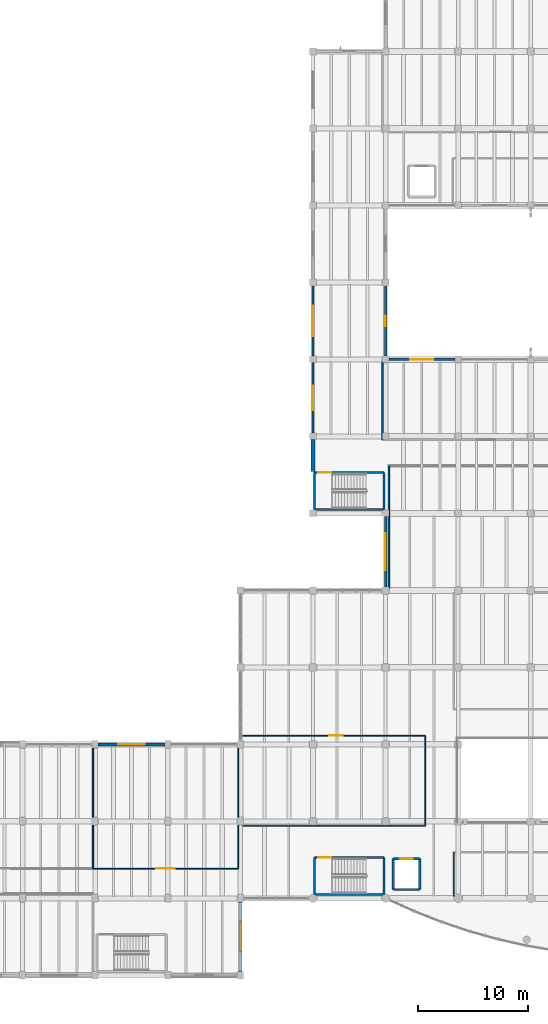
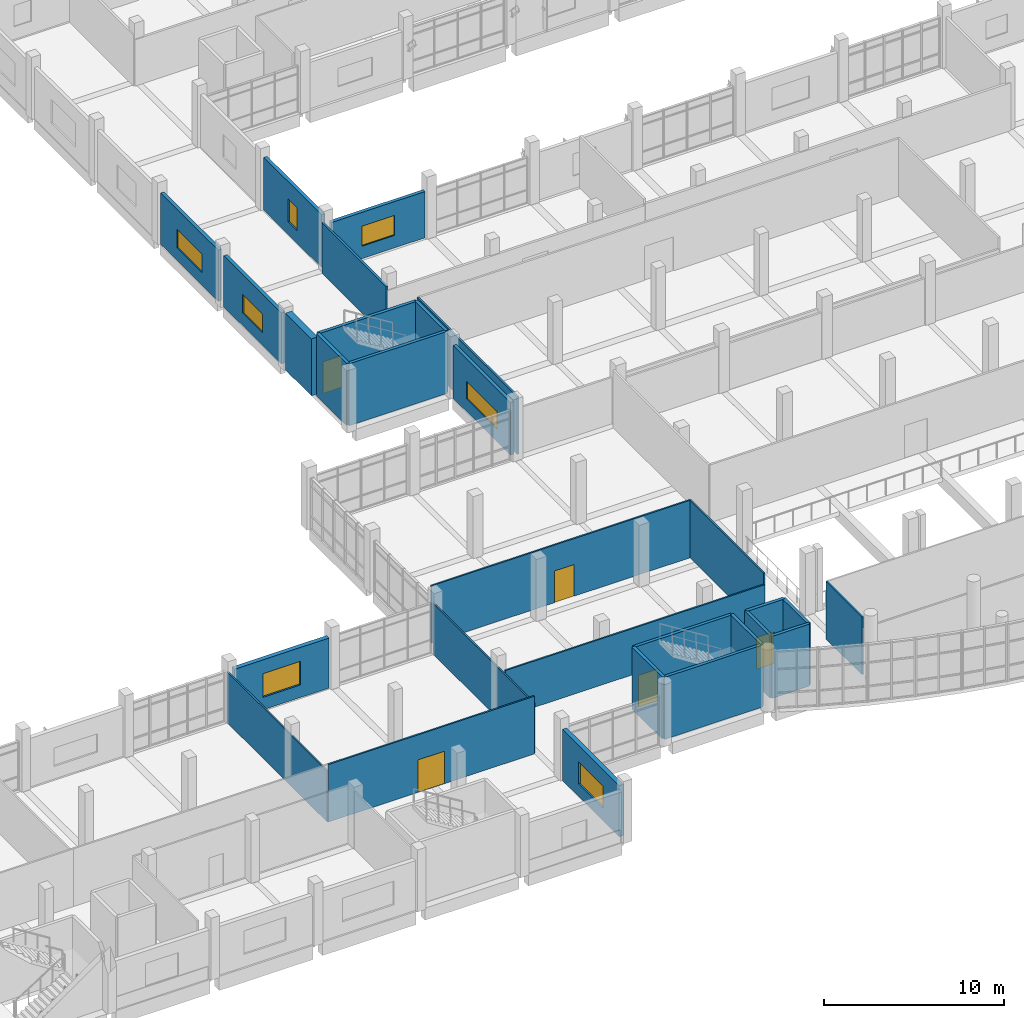
# One storey, part 45 of 68: 29 walls, 7 windows, 5 doors, 12 openings.
"""IFC4 building model written with IfcOpenShell, lengths in metres."""

from ifc_helpers import new_model, si_unit, direction, frame, frame_2d, origin, place, context, subcontext, project, spatial, rectangle, extrude, material, layer, layer_set, type_object, element, fill, save


model = new_model("IFC4")

# Units and contexts
model_context = context("Model", 3, precision=1e-05, world=origin(), true_north=direction((0.0, 1.0)))
body_context = subcontext(model_context, "Body", "Model", "MODEL_VIEW")
ifc_project = project(units=[si_unit("LENGTHUNIT", "METRE"), si_unit("AREAUNIT", "SQUARE_METRE"), si_unit("VOLUMEUNIT", "CUBIC_METRE"), si_unit("PLANEANGLEUNIT", "RADIAN"), si_unit("MASSUNIT", "GRAM", prefix="KILO")], contexts=[model_context])

# Site, building, storey
site_placement = place(None, origin())
site = spatial("IfcSite", under=ifc_project, at=site_placement, CompositionType="ELEMENT")
building_placement = place(site_placement, origin())
building = spatial("IfcBuilding", under=site, at=building_placement, Name="Ciguamira Faculty of Natural Sciences", CompositionType="ELEMENT")
storey_placement = place(building_placement, frame((0.0, 0.0, 4.199951171875)))
storey = spatial("IfcBuildingStorey", under=building, at=storey_placement, Name="L01", CompositionType="ELEMENT", Elevation=4.199951171875)

# Wall, opening, window
ifc_material_1 = material(Name="Precast concrete C40/50", Category="concrete")
ifc_layer_1 = layer(ifc_material_1, 0.280029296875, Name="Precast concrete C40/50")
ifc_layer_set_1 = layer_set([ifc_layer_1], Name="Precast concrete C40/50")
wall_type_1 = type_object("IfcWallType", Name="ExtWall_EW-01_280", PredefinedType="SOLIDWALL", material=ifc_layer_set_1)
wall_1_placement = place(storey_placement, frame((37.77490234375, 24.0, 0.0), z_axis=(0.0, 0.0, 1.0), x_axis=(1.0, 0.0, 0.0)))
wall_1 = element("IfcWall", 1, at=wall_1_placement, inside=storey, type_object=wall_type_1, Name="L01 exterior wall 0151", PredefinedType="SOLIDWALL", context=body_context, shape_type="SweptSolid", body=[
    extrude(rectangle(XDim=6.050048828125, YDim=0.280029296875, at=frame_2d((3.02490234375, 0.0))), origin(), (0.0, 0.0, 1.0), 3.385009765625),
])
opening_1_placement = place(wall_1_placement, frame((1.824951171875, 0.0, 0.85009765625)))
opening_1 = element("IfcOpeningElement", 2, at=opening_1_placement, cuts=wall_1, Name="Opening WT-23", PredefinedType="OPENING", context=body_context, shape_type="SweptSolid", body=[
    extrude(rectangle(XDim=2.39990234375, YDim=1.60009765625, at=frame_2d((1.199951171875, 0.800048828125))), frame((0.0, 0.14990234375, 0.0), z_axis=(0.0, -1.0, 0.0), x_axis=(1.0, 0.0, 0.0)), (0.0, 0.0, 1.0), 0.300048828125),
])
ifc_material_2 = material(Name="Hurricane laminated solar glass", Category="glass")
window_type_1 = type_object("IfcWindowType", Name="Window_WT-23_2400x1600", PartitioningType="DOUBLE_PANEL_VERTICAL", PredefinedType="WINDOW", material=ifc_material_2)
window_1_placement = place(opening_1_placement, origin())
window_1 = element("IfcWindow", 3, at=window_1_placement, inside=storey, type_object=window_type_1, Name="L01 facade window 0067", OverallHeight=1.60009765625, OverallWidth=2.39990234375, PartitioningType="SINGLE_PANEL", PredefinedType="WINDOW", context=body_context, shape_type="SweptSolid", body=[
    extrude(rectangle(XDim=2.39990234375, YDim=1.60009765625, at=frame_2d((1.199951171875, 0.800048828125))), frame((0.0, 0.030029296875, 0.0), z_axis=(0.0, -1.0, 0.0), x_axis=(1.0, 0.0, 0.0)), (0.0, 0.0, 1.0), 0.06005859375),
])
fill(opening_1, window_1)

wall_2_placement = place(storey_placement, frame((50.699951171875, 3.35009765625, 0.0), z_axis=(0.0, 0.0, 1.0), x_axis=(0.0, 1.0, 0.0)))
wall_2 = element("IfcWall", 4, at=wall_2_placement, inside=storey, type_object=wall_type_1, Name="L01 exterior wall 0176", PredefinedType="SOLIDWALL", context=body_context, shape_type="SweptSolid", body=[
    extrude(rectangle(XDim=6.2998046875, YDim=0.280029296875, at=frame_2d((3.14990234375, 0.0))), origin(), (0.0, 0.0, 1.0), 3.465087890625),
])
opening_2_placement = place(wall_2_placement, frame((1.800048828125, 0.0, 0.85009765625)))
opening_2 = element("IfcOpeningElement", 5, at=opening_2_placement, cuts=wall_2, Name="Opening WT-13", PredefinedType="OPENING", context=body_context, shape_type="SweptSolid", body=[
    extrude(rectangle(XDim=2.699951171875, YDim=1.5, at=frame_2d((1.35009765625, 0.75))), frame((0.0, 0.14990234375, 0.0), z_axis=(0.0, -1.0, 0.0), x_axis=(1.0, 0.0, 0.0)), (0.0, 0.0, 1.0), 0.300048828125),
])
window_type_2 = type_object("IfcWindowType", Name="Window_WT-13_2700x1500", PartitioningType="DOUBLE_PANEL_VERTICAL", PredefinedType="WINDOW", material=ifc_material_2)
window_2_placement = place(opening_2_placement, origin())
window_2 = element("IfcWindow", 6, at=window_2_placement, inside=storey, type_object=window_type_2, Name="L01 facade window 0092", OverallHeight=1.5, OverallWidth=2.699951171875, PartitioningType="SINGLE_PANEL", PredefinedType="WINDOW", context=body_context, shape_type="SweptSolid", body=[
    extrude(rectangle(XDim=2.699951171875, YDim=1.5, at=frame_2d((1.35009765625, 0.75))), frame((0.0, 0.030029296875, 0.0), z_axis=(0.0, -1.0, 0.0), x_axis=(1.0, 0.0, 0.0)), (0.0, 0.0, 1.0), 0.06005859375),
])
fill(opening_2, window_2)

ifc_layer_2 = layer(ifc_material_1, 0.219970703125, Name="Precast concrete C40/50")
ifc_layer_set_2 = layer_set([ifc_layer_2], Name="Precast concrete C40/50")
wall_type_2 = type_object("IfcWallType", Name="ExtWall_EW-03_220", PredefinedType="SOLIDWALL", material=ifc_layer_set_2)
wall_3_placement = place(storey_placement, frame((64.199951171875, 59.0, 0.0), z_axis=(0.0, 0.0, 1.0), x_axis=(1.0, 0.0, 0.0)))
wall_3 = element("IfcWall", 7, at=wall_3_placement, inside=storey, type_object=wall_type_2, Name="L01 exterior wall 0159", PredefinedType="SOLIDWALL", context=body_context, shape_type="SweptSolid", body=[
    extrude(rectangle(XDim=6.0, YDim=0.219970703125, at=frame_2d((3.0, 0.0))), origin(), (0.0, 0.0, 1.0), 3.135009765625),
])
opening_3_placement = place(wall_3_placement, frame((1.949951171875, 0.0, 0.85009765625)))
opening_3 = element("IfcOpeningElement", 8, at=opening_3_placement, cuts=wall_3, Name="Opening WT-06", PredefinedType="OPENING", context=body_context, shape_type="SweptSolid", body=[
    extrude(rectangle(XDim=2.10009765625, YDim=1.35009765625, at=frame_2d((1.050048828125, 0.675048828125))), frame((0.0, 0.119873046875, 0.0), z_axis=(0.0, -1.0, 0.0), x_axis=(1.0, 0.0, 0.0)), (0.0, 0.0, 1.0), 0.239990234375),
])
window_type_3 = type_object("IfcWindowType", Name="Window_WT-06_2100x1350", PartitioningType="DOUBLE_PANEL_VERTICAL", PredefinedType="WINDOW", material=ifc_material_2)
window_3_placement = place(opening_3_placement, origin())
window_3 = element("IfcWindow", 9, at=window_3_placement, inside=storey, type_object=window_type_3, Name="L01 facade window 0075", OverallHeight=1.35009765625, OverallWidth=2.10009765625, PartitioningType="SINGLE_PANEL", PredefinedType="WINDOW", context=body_context, shape_type="SweptSolid", body=[
    extrude(rectangle(XDim=2.10009765625, YDim=1.35009765625, at=frame_2d((1.050048828125, 0.675048828125))), frame((0.0, 0.030029296875, 0.0), z_axis=(0.0, -1.0, 0.0), x_axis=(1.0, 0.0, 0.0)), (0.0, 0.0, 1.0), 0.06005859375),
])
fill(opening_3, window_3)

wall_4_placement = place(storey_placement, frame((57.300048828125, 52.300048828125, 0.0), z_axis=(0.0, 0.0, 1.0), x_axis=(0.0, 1.0, 0.0)))
wall_4 = element("IfcWall", 10, at=wall_4_placement, inside=storey, type_object=wall_type_2, Name="L01 exterior wall 0178", PredefinedType="SOLIDWALL", context=body_context, shape_type="SweptSolid", body=[
    extrude(rectangle(XDim=6.39990234375, YDim=0.219970703125, at=frame_2d((3.199951171875, 0.0))), origin(), (0.0, 0.0, 1.0), 3.465087890625),
])
opening_4_placement = place(wall_4_placement, frame((2.10009765625, 0.0, 0.85009765625)))
opening_4 = element("IfcOpeningElement", 11, at=opening_4_placement, cuts=wall_4, Name="Opening WT-18", PredefinedType="OPENING", context=body_context, shape_type="SweptSolid", body=[
    extrude(rectangle(XDim=2.199951171875, YDim=1.25, at=frame_2d((1.10009765625, 0.625))), frame((0.0, 0.119873046875, 0.0), z_axis=(0.0, -1.0, 0.0), x_axis=(1.0, 0.0, 0.0)), (0.0, 0.0, 1.0), 0.239990234375),
])
window_type_4 = type_object("IfcWindowType", Name="Window_WT-18_2200x1250", PartitioningType="DOUBLE_PANEL_VERTICAL", PredefinedType="WINDOW", material=ifc_material_2)
window_4_placement = place(opening_4_placement, origin())
window_4 = element("IfcWindow", 12, at=window_4_placement, inside=storey, type_object=window_type_4, Name="L01 facade window 0093", OverallHeight=1.25, OverallWidth=2.199951171875, PartitioningType="SINGLE_PANEL", PredefinedType="WINDOW", context=body_context, shape_type="SweptSolid", body=[
    extrude(rectangle(XDim=2.199951171875, YDim=1.25, at=frame_2d((1.10009765625, 0.625))), frame((0.0, 0.030029296875, 0.0), z_axis=(0.0, -1.0, 0.0), x_axis=(1.0, 0.0, 0.0)), (0.0, 0.0, 1.0), 0.06005859375),
])
fill(opening_4, window_4)

wall_5_placement = place(storey_placement, frame((57.300048828125, 59.300048828125, 0.0), z_axis=(0.0, 0.0, 1.0), x_axis=(0.0, 1.0, 0.0)))
wall_5 = element("IfcWall", 13, at=wall_5_placement, inside=storey, type_object=wall_type_2, Name="L01 exterior wall 0179", PredefinedType="SOLIDWALL", context=body_context, shape_type="SweptSolid", body=[
    extrude(rectangle(XDim=6.39990234375, YDim=0.219970703125, at=frame_2d((3.199951171875, 0.0))), origin(), (0.0, 0.0, 1.0), 3.465087890625),
])
opening_5_placement = place(wall_5_placement, frame((1.800048828125, 0.0, 0.85009765625)))
opening_5 = element("IfcOpeningElement", 14, at=opening_5_placement, cuts=wall_5, Name="Opening WT-20", PredefinedType="OPENING", context=body_context, shape_type="SweptSolid", body=[
    extrude(rectangle(XDim=2.800048828125, YDim=1.25, at=frame_2d((1.39990234375, 0.625))), frame((0.0, 0.119873046875, 0.0), z_axis=(0.0, -1.0, 0.0), x_axis=(1.0, 0.0, 0.0)), (0.0, 0.0, 1.0), 0.239990234375),
])
window_type_5 = type_object("IfcWindowType", Name="Window_WT-20_2800x1250", PartitioningType="DOUBLE_PANEL_VERTICAL", PredefinedType="WINDOW", material=ifc_material_2)
window_5_placement = place(opening_5_placement, origin())
window_5 = element("IfcWindow", 15, at=window_5_placement, inside=storey, type_object=window_type_5, Name="L01 facade window 0094", OverallHeight=1.25, OverallWidth=2.800048828125, PartitioningType="SINGLE_PANEL", PredefinedType="WINDOW", context=body_context, shape_type="SweptSolid", body=[
    extrude(rectangle(XDim=2.800048828125, YDim=1.25, at=frame_2d((1.39990234375, 0.625))), frame((0.0, 0.030029296875, 0.0), z_axis=(0.0, -1.0, 0.0), x_axis=(1.0, 0.0, 0.0)), (0.0, 0.0, 1.0), 0.06005859375),
])
fill(opening_5, window_5)

wall_6_placement = place(storey_placement, frame((63.89990234375, 38.324951171875, 0.0), z_axis=(0.0, 0.0, 1.0), x_axis=(0.0, 1.0, 0.0)))
wall_6 = element("IfcWall", 16, at=wall_6_placement, inside=storey, type_object=wall_type_2, Name="L01 exterior wall 0186", PredefinedType="SOLIDWALL", context=body_context, shape_type="SweptSolid", body=[
    extrude(rectangle(XDim=6.375, YDim=0.219970703125, at=frame_2d((3.1875, 0.0))), origin(), (0.0, 0.0, 1.0), 3.56494140625),
])
opening_6_placement = place(wall_6_placement, frame((1.487548828125, 0.0, 0.85009765625)))
opening_6 = element("IfcOpeningElement", 17, at=opening_6_placement, cuts=wall_6, Name="Opening WT-34", PredefinedType="OPENING", context=body_context, shape_type="SweptSolid", body=[
    extrude(rectangle(XDim=3.39990234375, YDim=1.199951171875, at=frame_2d((1.699951171875, 0.60009765625))), frame((0.0, 0.119873046875, 0.0), z_axis=(0.0, -1.0, 0.0), x_axis=(1.0, 0.0, 0.0)), (0.0, 0.0, 1.0), 0.239990234375),
])
window_type_6 = type_object("IfcWindowType", Name="Window_WT-34_3400x1200", PartitioningType="DOUBLE_PANEL_VERTICAL", PredefinedType="WINDOW", material=ifc_material_2)
window_6_placement = place(opening_6_placement, origin())
window_6 = element("IfcWindow", 18, at=window_6_placement, inside=storey, type_object=window_type_6, Name="L01 facade window 0101", OverallHeight=1.199951171875, OverallWidth=3.39990234375, PartitioningType="SINGLE_PANEL", PredefinedType="WINDOW", context=body_context, shape_type="SweptSolid", body=[
    extrude(rectangle(XDim=3.39990234375, YDim=1.199951171875, at=frame_2d((1.699951171875, 0.60009765625))), frame((0.0, 0.030029296875, 0.0), z_axis=(0.0, -1.0, 0.0), x_axis=(1.0, 0.0, 0.0)), (0.0, 0.0, 1.0), 0.06005859375),
])
fill(opening_6, window_6)

wall_7_placement = place(storey_placement, frame((63.89990234375, 59.300048828125, 0.0), z_axis=(0.0, 0.0, 1.0), x_axis=(0.0, 1.0, 0.0)))
wall_7 = element("IfcWall", 19, at=wall_7_placement, inside=storey, type_object=wall_type_2, Name="L01 exterior wall 0187", PredefinedType="SOLIDWALL", context=body_context, shape_type="SweptSolid", body=[
    extrude(rectangle(XDim=6.39990234375, YDim=0.219970703125, at=frame_2d((3.199951171875, 0.0))), origin(), (0.0, 0.0, 1.0), 3.56494140625),
])
opening_7_placement = place(wall_7_placement, frame((2.72509765625, 0.0, 0.85009765625)))
opening_7 = element("IfcOpeningElement", 20, at=opening_7_placement, cuts=wall_7, Name="Opening WT-36", PredefinedType="OPENING", context=body_context, shape_type="SweptSolid", body=[
    extrude(rectangle(XDim=0.949951171875, YDim=1.550048828125, at=frame_2d((0.47509765625, 0.77490234375))), frame((0.0, 0.119873046875, 0.0), z_axis=(0.0, -1.0, 0.0), x_axis=(1.0, 0.0, 0.0)), (0.0, 0.0, 1.0), 0.239990234375),
])
window_type_7 = type_object("IfcWindowType", Name="Window_WT-36_950x1550", PartitioningType="DOUBLE_PANEL_VERTICAL", PredefinedType="WINDOW", material=ifc_material_2)
window_7_placement = place(opening_7_placement, origin())
window_7 = element("IfcWindow", 21, at=window_7_placement, inside=storey, type_object=window_type_7, Name="L01 facade window 0102", OverallHeight=1.550048828125, OverallWidth=0.949951171875, PartitioningType="SINGLE_PANEL", PredefinedType="WINDOW", context=body_context, shape_type="SweptSolid", body=[
    extrude(rectangle(XDim=0.949951171875, YDim=1.550048828125, at=frame_2d((0.47509765625, 0.77490234375))), frame((0.0, 0.030029296875, 0.0), z_axis=(0.0, -1.0, 0.0), x_axis=(1.0, 0.0, 0.0)), (0.0, 0.0, 1.0), 0.06005859375),
])
fill(opening_7, window_7)

# Walls
ifc_material_3 = material(Name="Concrete C40/50", Category="concrete")
ifc_layer_3 = layer(ifc_material_3, 0.39990234375, Name="Concrete C40/50")
ifc_layer_set_3 = layer_set([ifc_layer_3], Name="Concrete C40/50")
wall_type_3 = type_object("IfcWallType", Name="ExtWall_RW-02_400", PredefinedType="SHEAR", material=ifc_layer_set_3)
wall_8_placement = place(storey_placement, frame((57.300048828125, 48.81005859375, 0.0), z_axis=(0.0, 0.0, 1.0), x_axis=(0.0, 1.0, 0.0)))
element("IfcWall", 22, at=wall_8_placement, inside=storey, type_object=wall_type_3, Name="L01 exterior wall 0177", PredefinedType="SHEAR", context=body_context, shape_type="SweptSolid", body=[
    extrude(rectangle(XDim=2.889892578125, YDim=0.39990234375, at=frame_2d((1.44482421875, 0.0))), origin(), (0.0, 0.0, 1.0), 3.85009765625),
])
ifc_layer_4 = layer(ifc_material_3, 0.199951171875, Name="Concrete C40/50")
ifc_layer_set_4 = layer_set([ifc_layer_4], Name="Concrete C40/50")
wall_type_4 = type_object("IfcWallType", Name="IntWall_CW-S20_200", PredefinedType="SHEAR", material=ifc_layer_set_4)
wall_9_placement = place(storey_placement, frame((57.449951171875, 10.35009765625, 0.0), z_axis=(0.0, 0.0, 1.0), x_axis=(1.0, 0.0, 0.0)))
element("IfcWall", 23, at=wall_9_placement, inside=storey, type_object=wall_type_4, Name="L01 ST-A1 core shear wall south", PredefinedType="SHEAR", context=body_context, shape_type="SweptSolid", body=[
    extrude(rectangle(XDim=6.300048828125, YDim=0.199951171875, at=frame_2d((3.14990234375, 0.0))), origin(), (0.0, 0.0, 1.0), 4.199951171875),
])

# Wall, opening, door
wall_10_placement = place(storey_placement, frame((57.449951171875, 13.7099609375, 0.0), z_axis=(0.0, 0.0, 1.0), x_axis=(1.0, 0.0, 0.0)))
wall_10 = element("IfcWall", 24, at=wall_10_placement, inside=storey, type_object=wall_type_4, Name="L01 ST-A1 core shear wall north", PredefinedType="SHEAR", context=body_context, shape_type="SweptSolid", body=[
    extrude(rectangle(XDim=6.300048828125, YDim=0.199951171875, at=frame_2d((3.14990234375, 0.0))), origin(), (0.0, 0.0, 1.0), 4.199951171875),
])
opening_8_placement = place(wall_10_placement, frame((0.320068359375, 0.0, 0.0)))
opening_8 = element("IfcOpeningElement", 25, at=opening_8_placement, cuts=wall_10, Name="Opening ID-14", PredefinedType="OPENING", context=body_context, shape_type="SweptSolid", body=[
    extrude(rectangle(XDim=1.199951171875, YDim=2.14990234375, at=frame_2d((0.60009765625, 1.074951171875))), frame((0.0, 0.10986328125, 0.0), z_axis=(0.0, -1.0, 0.0), x_axis=(1.0, 0.0, 0.0)), (0.0, 0.0, 1.0), 0.219970703125),
])
ifc_material_4 = material(Name="Protected exit stair fire door")
door_type_1 = type_object("IfcDoorType", Name="IntDoor_ID-14_1200x2150", OperationType="NOTDEFINED", PredefinedType="DOOR", material=ifc_material_4)
door_1_placement = place(opening_8_placement, frame((1.199951171875, 0.0, 0.0), z_axis=(0.0, 0.0, 1.0), x_axis=(-1.0, 0.0, 0.0)))
door_1 = element("IfcDoor", 26, at=door_1_placement, inside=storey, type_object=door_type_1, Name="L01 ST-A1 exit stair fire door", OperationType="SINGLE_SWING_LEFT", OverallHeight=2.14990234375, OverallWidth=1.199951171875, PredefinedType="DOOR", context=body_context, shape_type="SweptSolid", body=[
    extrude(rectangle(XDim=1.199951171875, YDim=2.14990234375, at=frame_2d((0.60009765625, 1.074951171875))), frame((0.0, 0.02490234375, 0.0), z_axis=(0.0, -1.0, 0.0), x_axis=(1.0, 0.0, 0.0)), (0.0, 0.0, 1.0), 0.050048828125),
])
fill(opening_8, door_1)

# Walls
for number, where, z_axis, x_axis, name in (
    (27, (57.449951171875, 10.35009765625, 0.0), (0.0, 0.0, 1.0), (0.0, 1.0, 0.0), "L01 ST-A1 core shear wall west"),
    (28, (63.75, 10.35009765625, 0.0), (0.0, 0.0, 1.0), (0.0, 1.0, 0.0), "L01 ST-A1 core shear wall east"),
):
    element("IfcWall", number, at=place(storey_placement, frame(where, z_axis=z_axis, x_axis=x_axis)), inside=storey, type_object=wall_type_4, Name=name, PredefinedType="SHEAR", context=body_context, shape_type="SweptSolid", body=[
        extrude(rectangle(XDim=3.35986328125, YDim=0.199951171875, at=frame_2d((1.679931640625, 0.0))), origin(), (0.0, 0.0, 1.0), 4.199951171875),
    ])
wall_11_placement = place(storey_placement, frame((57.449951171875, 45.35009765625, 0.0), z_axis=(0.0, 0.0, 1.0), x_axis=(1.0, 0.0, 0.0)))
element("IfcWall", 29, at=wall_11_placement, inside=storey, type_object=wall_type_4, Name="L01 ST-W1 core shear wall south", PredefinedType="SHEAR", context=body_context, shape_type="SweptSolid", body=[
    extrude(rectangle(XDim=6.300048828125, YDim=0.199951171875, at=frame_2d((3.14990234375, 0.0))), origin(), (0.0, 0.0, 1.0), 4.199951171875),
])

# Wall, opening, door
wall_12_placement = place(storey_placement, frame((57.449951171875, 48.7099609375, 0.0), z_axis=(0.0, 0.0, 1.0), x_axis=(1.0, 0.0, 0.0)))
wall_12 = element("IfcWall", 30, at=wall_12_placement, inside=storey, type_object=wall_type_4, Name="L01 ST-W1 core shear wall north", PredefinedType="SHEAR", context=body_context, shape_type="SweptSolid", body=[
    extrude(rectangle(XDim=6.300048828125, YDim=0.199951171875, at=frame_2d((3.14990234375, 0.0))), origin(), (0.0, 0.0, 1.0), 4.199951171875),
])
opening_9_placement = place(wall_12_placement, frame((0.320068359375, 0.0, 0.0)))
opening_9 = element("IfcOpeningElement", 31, at=opening_9_placement, cuts=wall_12, Name="Opening ID-14", PredefinedType="OPENING", context=body_context, shape_type="SweptSolid", body=[
    extrude(rectangle(XDim=1.199951171875, YDim=2.14990234375, at=frame_2d((0.60009765625, 1.074951171875))), frame((0.0, 0.10986328125, 0.0), z_axis=(0.0, -1.0, 0.0), x_axis=(1.0, 0.0, 0.0)), (0.0, 0.0, 1.0), 0.219970703125),
])
door_2_placement = place(opening_9_placement, frame((1.199951171875, 0.0, 0.0), z_axis=(0.0, 0.0, 1.0), x_axis=(-1.0, 0.0, 0.0)))
door_2 = element("IfcDoor", 32, at=door_2_placement, inside=storey, type_object=door_type_1, Name="L01 ST-W1 exit stair fire door", OperationType="SINGLE_SWING_RIGHT", OverallHeight=2.14990234375, OverallWidth=1.199951171875, PredefinedType="DOOR", context=body_context, shape_type="SweptSolid", body=[
    extrude(rectangle(XDim=1.199951171875, YDim=2.14990234375, at=frame_2d((0.60009765625, 1.074951171875))), frame((0.0, 0.02490234375, 0.0), z_axis=(0.0, -1.0, 0.0), x_axis=(1.0, 0.0, 0.0)), (0.0, 0.0, 1.0), 0.050048828125),
])
fill(opening_9, door_2)

# Walls
for number, where, z_axis, x_axis, name in (
    (33, (57.449951171875, 45.35009765625, 0.0), (0.0, 0.0, 1.0), (0.0, 1.0, 0.0), "L01 ST-W1 core shear wall west"),
    (34, (63.75, 45.35009765625, 0.0), (0.0, 0.0, 1.0), (0.0, 1.0, 0.0), "L01 ST-W1 core shear wall east"),
):
    element("IfcWall", number, at=place(storey_placement, frame(where, z_axis=z_axis, x_axis=x_axis)), inside=storey, type_object=wall_type_4, Name=name, PredefinedType="SHEAR", context=body_context, shape_type="SweptSolid", body=[
        extrude(rectangle(XDim=3.35986328125, YDim=0.199951171875, at=frame_2d((1.679931640625, 0.0))), origin(), (0.0, 0.0, 1.0), 4.199951171875),
    ])
wall_13_placement = place(storey_placement, frame((64.60009765625, 10.800048828125, 0.0), z_axis=(0.0, 0.0, 1.0), x_axis=(1.0, 0.0, 0.0)))
element("IfcWall", 35, at=wall_13_placement, inside=storey, type_object=wall_type_4, Name="L01 EL-P3 hoistway wall south", PredefinedType="SHEAR", context=body_context, shape_type="SweptSolid", body=[
    extrude(rectangle(XDim=2.39990234375, YDim=0.199951171875, at=frame_2d((1.199951171875, 0.0))), origin(), (0.0, 0.0, 1.0), 4.199951171875),
])

# Wall, opening, door
wall_14_placement = place(storey_placement, frame((64.60009765625, 13.60009765625, 0.0), z_axis=(0.0, 0.0, 1.0), x_axis=(1.0, 0.0, 0.0)))
wall_14 = element("IfcWall", 36, at=wall_14_placement, inside=storey, type_object=wall_type_4, Name="L01 EL-P3 hoistway wall north", PredefinedType="SHEAR", context=body_context, shape_type="SweptSolid", body=[
    extrude(rectangle(XDim=2.39990234375, YDim=0.199951171875, at=frame_2d((1.199951171875, 0.0))), origin(), (0.0, 0.0, 1.0), 4.199951171875),
])
opening_10_placement = place(wall_14_placement, frame((0.64990234375, 0.0, 0.0)))
opening_10 = element("IfcOpeningElement", 37, at=opening_10_placement, cuts=wall_14, Name="Opening LD-01", PredefinedType="OPENING", context=body_context, shape_type="SweptSolid", body=[
    extrude(rectangle(XDim=1.10009765625, YDim=2.14990234375, at=frame_2d((0.550048828125, 1.074951171875))), frame((0.0, 0.10986328125, 0.0), z_axis=(0.0, -1.0, 0.0), x_axis=(1.0, 0.0, 0.0)), (0.0, 0.0, 1.0), 0.219970703125),
])
ifc_material_5 = material(Name="Passenger elevator sliding landing door")
door_type_2 = type_object("IfcDoorType", Name="LiftLandingDoor_LD-01_1100x2150", OperationType="SLIDING_TO_LEFT", PredefinedType="DOOR", material=ifc_material_5)
door_3_placement = place(opening_10_placement, origin())
door_3 = element("IfcDoor", 38, at=door_3_placement, inside=storey, type_object=door_type_2, Name="L01 EL-P3 elevator landing sliding door", OperationType="SLIDING_TO_LEFT", OverallHeight=2.14990234375, OverallWidth=1.10009765625, PredefinedType="DOOR", context=body_context, shape_type="SweptSolid", body=[
    extrude(rectangle(XDim=1.10009765625, YDim=2.14990234375, at=frame_2d((0.550048828125, 1.074951171875))), frame((0.0, 0.02490234375, 0.0), z_axis=(0.0, -1.0, 0.0), x_axis=(1.0, 0.0, 0.0)), (0.0, 0.0, 1.0), 0.050048828125),
])
fill(opening_10, door_3)

# Walls
for number, where, z_axis, x_axis, name in (
    (39, (64.60009765625, 10.800048828125, 0.0), (0.0, 0.0, 1.0), (0.0, 1.0, 0.0), "L01 EL-P3 hoistway wall west"),
    (40, (67.0, 10.800048828125, 0.0), (0.0, 0.0, 1.0), (0.0, 1.0, 0.0), "L01 EL-P3 hoistway wall east"),
):
    element("IfcWall", number, at=place(storey_placement, frame(where, z_axis=z_axis, x_axis=x_axis)), inside=storey, type_object=wall_type_4, Name=name, PredefinedType="SHEAR", context=body_context, shape_type="SweptSolid", body=[
        extrude(rectangle(XDim=2.800048828125, YDim=0.199951171875, at=frame_2d((1.39990234375, 0.0))), origin(), (0.0, 0.0, 1.0), 4.199951171875),
    ])
ifc_material_6 = material(Name="Fire-rated gypsum partition")
ifc_layer_5 = layer(ifc_material_6, 0.10009765625, Name="Fire-rated gypsum partition")
ifc_layer_set_5 = layer_set([ifc_layer_5], Name="Fire-rated gypsum partition")
wall_type_5 = type_object("IfcWallType", Name="IntWall_IW-A10_100", PredefinedType="PARTITIONING", material=ifc_layer_set_5)
wall_15_placement = place(storey_placement, frame((37.300048828125, 12.699951171875, 0.0), z_axis=(0.0, 0.0, 1.0), x_axis=(0.0, 1.0, 0.0)))
element("IfcWall", 41, at=wall_15_placement, inside=storey, type_object=wall_type_5, Name="L01 Natural Sciences Open Book Stacks partition east", PredefinedType="PARTITIONING", context=body_context, shape_type="SweptSolid", body=[
    extrude(rectangle(XDim=11.10009765625, YDim=0.10009765625, at=frame_2d((5.550048828125, 0.0))), origin(), (0.0, 0.0, 1.0), 3.445068359375),
])

# Wall, opening, door
wall_16_placement = place(storey_placement, frame((37.300048828125, 12.699951171875, 0.0), z_axis=(0.0, 0.0, 1.0), x_axis=(1.0, 0.0, 0.0)))
wall_16 = element("IfcWall", 42, at=wall_16_placement, inside=storey, type_object=wall_type_5, Name="L01 Collaborative Tutorial Studio partition south", PredefinedType="PARTITIONING", context=body_context, shape_type="SweptSolid", body=[
    extrude(rectangle(XDim=13.199951171875, YDim=0.10009765625, at=frame_2d((6.60009765625, 0.0))), origin(), (0.0, 0.0, 1.0), 3.900146484375),
])
opening_11_placement = place(wall_16_placement, frame((5.75, 0.0, 0.0)))
opening_11 = element("IfcOpeningElement", 43, at=opening_11_placement, cuts=wall_16, Name="Opening ID-18", PredefinedType="OPENING", context=body_context, shape_type="SweptSolid", body=[
    extrude(rectangle(XDim=1.699951171875, YDim=2.199951171875, at=frame_2d((0.85009765625, 1.10009765625))), frame((0.0, 0.06005859375, 0.0), z_axis=(0.0, -1.0, 0.0), x_axis=(1.0, 0.0, 0.0)), (0.0, 0.0, 1.0), 0.1201171875),
])
ifc_material_7 = material(Name="Archive vault rated door")
door_type_3 = type_object("IfcDoorType", Name="IntDoor_ID-18_1700x2200", OperationType="NOTDEFINED", PredefinedType="DOOR", material=ifc_material_7)
door_4_placement = place(opening_11_placement, origin())
door_4 = element("IfcDoor", 44, at=door_4_placement, inside=storey, type_object=door_type_3, Name="L01 Collaborative Tutorial Studio door", OperationType="SINGLE_SWING_RIGHT", OverallHeight=2.199951171875, OverallWidth=1.699951171875, PredefinedType="DOOR", context=body_context, shape_type="SweptSolid", body=[
    extrude(rectangle(XDim=1.699951171875, YDim=2.199951171875, at=frame_2d((0.85009765625, 1.10009765625))), frame((0.0, 0.02490234375, 0.0), z_axis=(0.0, -1.0, 0.0), x_axis=(1.0, 0.0, 0.0)), (0.0, 0.0, 1.0), 0.050048828125),
])
fill(opening_11, door_4)

# Walls
wall_17_placement = place(storey_placement, frame((50.5, 12.699951171875, 0.0), z_axis=(0.0, 0.0, 1.0), x_axis=(0.0, 1.0, 0.0)))
element("IfcWall", 45, at=wall_17_placement, inside=storey, type_object=wall_type_5, Name="L01 Collaborative Tutorial Studio partition east", PredefinedType="PARTITIONING", context=body_context, shape_type="SweptSolid", body=[
    extrude(rectangle(XDim=11.10009765625, YDim=0.10009765625, at=frame_2d((5.550048828125, 0.0))), origin(), (0.0, 0.0, 1.0), 3.445068359375),
])
wall_18_placement = place(storey_placement, frame((50.89990234375, 16.60009765625, 0.0), z_axis=(0.0, 0.0, 1.0), x_axis=(1.0, 0.0, 0.0)))
element("IfcWall", 46, at=wall_18_placement, inside=storey, type_object=wall_type_5, Name="L01 Botanical Biodiversity Exhibition Gallery partition south", PredefinedType="PARTITIONING", context=body_context, shape_type="SweptSolid", body=[
    extrude(rectangle(XDim=16.60009765625, YDim=0.10009765625, at=frame_2d((8.300048828125, 0.0))), origin(), (0.0, 0.0, 1.0), 3.135009765625),
])

# Wall, opening, door
wall_19_placement = place(storey_placement, frame((50.89990234375, 24.800048828125, 0.0), z_axis=(0.0, 0.0, 1.0), x_axis=(1.0, 0.0, 0.0)))
wall_19 = element("IfcWall", 47, at=wall_19_placement, inside=storey, type_object=wall_type_5, Name="L01 Botanical Biodiversity Exhibition Gallery partition north", PredefinedType="PARTITIONING", context=body_context, shape_type="SweptSolid", body=[
    extrude(rectangle(XDim=16.60009765625, YDim=0.10009765625, at=frame_2d((8.300048828125, 0.0))), origin(), (0.0, 0.0, 1.0), 3.900146484375),
])
opening_12_placement = place(wall_19_placement, frame((7.875, 0.0, 0.0)))
opening_12 = element("IfcOpeningElement", 48, at=opening_12_placement, cuts=wall_19, Name="Opening ID-06", PredefinedType="OPENING", context=body_context, shape_type="SweptSolid", body=[
    extrude(rectangle(XDim=1.25, YDim=2.14990234375, at=frame_2d((0.625, 1.074951171875))), frame((0.0, 0.06005859375, 0.0), z_axis=(0.0, -1.0, 0.0), x_axis=(1.0, 0.0, 0.0)), (0.0, 0.0, 1.0), 0.1201171875),
])
ifc_material_8 = material(Name="Instrument room leaf-and-half door")
door_type_4 = type_object("IfcDoorType", Name="IntDoor_ID-06_1250x2150", OperationType="NOTDEFINED", PredefinedType="DOOR", material=ifc_material_8)
door_5_placement = place(opening_12_placement, frame((1.25, 0.0, 0.0), z_axis=(0.0, 0.0, 1.0), x_axis=(-1.0, 0.0, 0.0)))
door_5 = element("IfcDoor", 49, at=door_5_placement, inside=storey, type_object=door_type_4, Name="L01 Botanical Biodiversity Exhibition Gallery door", OperationType="SINGLE_SWING_RIGHT", OverallHeight=2.14990234375, OverallWidth=1.25, PredefinedType="DOOR", context=body_context, shape_type="SweptSolid", body=[
    extrude(rectangle(XDim=1.25, YDim=2.14990234375, at=frame_2d((0.625, 1.074951171875))), frame((0.0, 0.02490234375, 0.0), z_axis=(0.0, -1.0, 0.0), x_axis=(1.0, 0.0, 0.0)), (0.0, 0.0, 1.0), 0.050048828125),
])
fill(opening_12, door_5)

# Walls
wall_20_placement = place(storey_placement, frame((67.5, 16.60009765625, 0.0), z_axis=(0.0, 0.0, 1.0), x_axis=(0.0, 1.0, 0.0)))
element("IfcWall", 50, at=wall_20_placement, inside=storey, type_object=wall_type_5, Name="L01 Botanical Biodiversity Exhibition Gallery partition east", PredefinedType="PARTITIONING", context=body_context, shape_type="SweptSolid", body=[
    extrude(rectangle(XDim=8.199951171875, YDim=0.10009765625, at=frame_2d((4.10009765625, 0.0))), origin(), (0.0, 0.0, 1.0), 3.900146484375),
])
wall_21_placement = place(storey_placement, frame((70.10009765625, 10.199951171875, 0.0), z_axis=(0.0, 0.0, 1.0), x_axis=(0.0, 1.0, 0.0)))
element("IfcWall", 51, at=wall_21_placement, inside=storey, type_object=wall_type_5, Name="L01 L01 South Promenade Study Gallery partition west", PredefinedType="PARTITIONING", context=body_context, shape_type="SweptSolid", body=[
    extrude(rectangle(XDim=4.0, YDim=0.10009765625, at=frame_2d((2.0, 0.0))), origin(), (0.0, 0.0, 1.0), 3.900146484375),
])
ifc_material_9 = material(Name="Acoustic double-stud gypsum partition")
ifc_layer_6 = layer(ifc_material_9, 0.1201171875, Name="Acoustic double-stud gypsum partition")
ifc_layer_set_6 = layer_set([ifc_layer_6], Name="Acoustic double-stud gypsum partition")
wall_type_6 = type_object("IfcWallType", Name="IntWall_IW-A12_120", PredefinedType="PARTITIONING", material=ifc_layer_set_6)
wall_22_placement = place(storey_placement, frame((64.199951171875, 38.199951171875, 0.0), z_axis=(0.0, 0.0, 1.0), x_axis=(0.0, 1.0, 0.0)))
element("IfcWall", 52, at=wall_22_placement, inside=storey, type_object=wall_type_6, Name="L01 L01 South Lab Seminar Room partition west", PredefinedType="PARTITIONING", context=body_context, shape_type="SweptSolid", body=[
    extrude(rectangle(XDim=11.10009765625, YDim=0.1201171875, at=frame_2d((5.550048828125, 0.0))), origin(), (0.0, 0.0, 1.0), 3.900146484375),
])
ifc_material_10 = material(Name="Moisture-resistant service chase wall")
ifc_layer_7 = layer(ifc_material_10, 0.139892578125, Name="Moisture-resistant service chase wall")
ifc_layer_set_7 = layer_set([ifc_layer_7], Name="Moisture-resistant service chase wall")
wall_type_7 = type_object("IfcWallType", Name="IntWall_IW-P14_140", PredefinedType="PLUMBINGWALL", material=ifc_layer_set_7)
wall_23_placement = place(storey_placement, frame((63.60009765625, 51.699951171875, 0.0), z_axis=(0.0, 0.0, 1.0), x_axis=(0.0, 1.0, 0.0)))
element("IfcWall", 53, at=wall_23_placement, inside=storey, type_object=wall_type_7, Name="L01 Organic Chemistry Wet Laboratory partition west", PredefinedType="PLUMBINGWALL", context=body_context, shape_type="SweptSolid", body=[
    extrude(rectangle(XDim=7.10009765625, YDim=0.139892578125, at=frame_2d((3.550048828125, 0.0))), origin(), (0.0, 0.0, 1.0), 3.405029296875),
])

save(model, "model.ifc")
